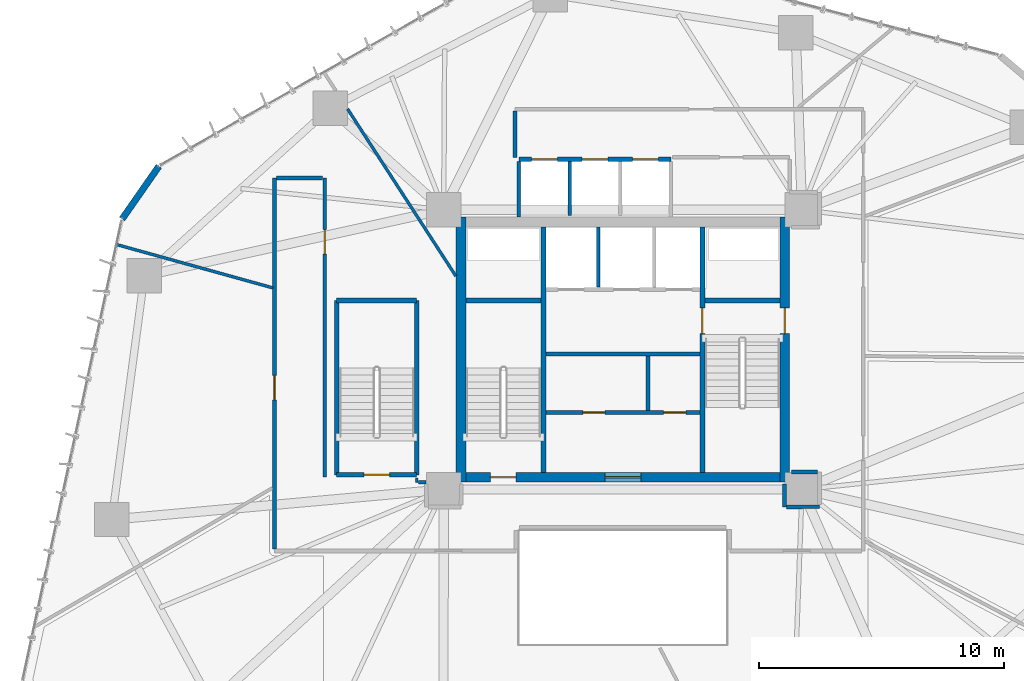
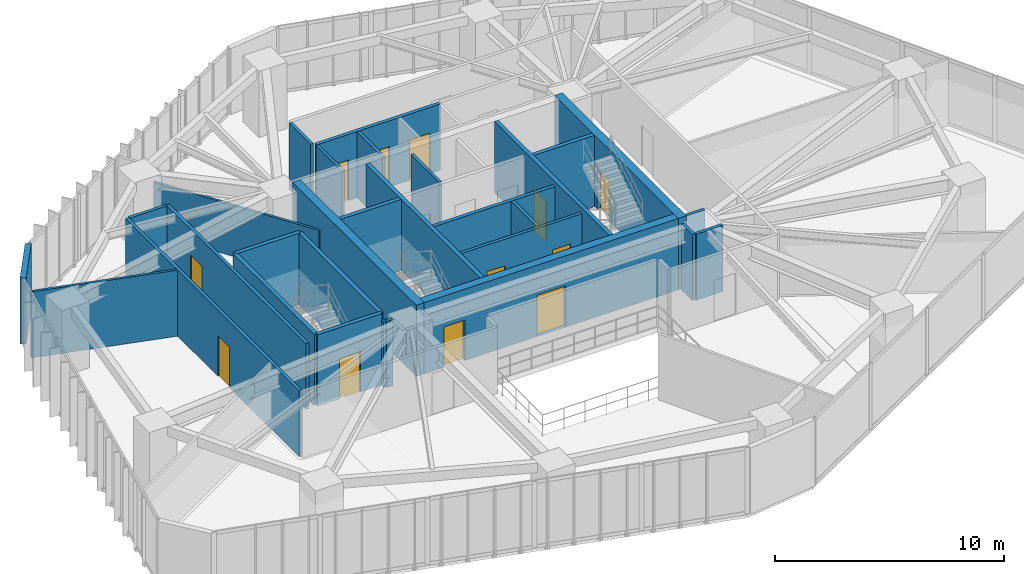
# One storey, part 18 of 23: 30 walls, 12 doors, 12 openings.
"""IFC4 building model written with IfcOpenShell, lengths in metres."""

import ifcopenshell
import ifcopenshell.guid

model = None  # the IFC model being written
_history = None  # IfcOwnerHistory: only IFC2X3 demands one
_inside = {}  # id of a spatial element -> (the spatial element, [elements in it])
_under = {}  # id of a project, library or spatial element -> (it, [spatial elements below it])
_declared = {}  # id of a project -> (the project, [libraries it declares])
_typed = {}  # id of a type object -> (the type object, [elements of that type])
_made_of = {}  # id of a material, layer set ... -> (it, [elements and type objects made of it])


def new_model(schema):
    """Start an empty IFC model of exactly this schema.

    Asked for "IFC4X3", IfcOpenShell would pick the latest addendum, in which some entities
    have other attributes; the version numbers below select the first issue.
    IFC2X3 requires an IfcOwnerHistory on every rooted entity: one is made here for all.
    """
    global model, _history
    if schema == "IFC4X3":
        model = ifcopenshell.file(schema_version=(4, 3, 0, 0))
    else:
        model = ifcopenshell.file(schema=schema)
    _inside.clear()
    _under.clear()
    _declared.clear()
    _typed.clear()
    _made_of.clear()
    _history = None
    if model.schema == "IFC2X3":
        org = make("IfcOrganization", Name="unknown")
        user = make(
            "IfcPersonAndOrganization",
            ThePerson=make("IfcPerson", FamilyName="unknown"),
            TheOrganization=org,
        )
        app = make(
            "IfcApplication",
            ApplicationDeveloper=org,
            Version="unknown",
            ApplicationFullName="unknown",
            ApplicationIdentifier="unknown",
        )
        _history = make(
            "IfcOwnerHistory",
            OwningUser=user,
            OwningApplication=app,
            ChangeAction="ADDED",
            CreationDate=0,
        )
    return model


def make(cls, **values):
    """One entity of the class cls with the attributes given. An attribute that is None is left unset."""
    return model.create_entity(
        cls, **{name: value for name, value in values.items() if value is not None}
    )


def rooted(cls, **values):
    """An entity with a GlobalId (a new one), such as an element, a storey or a relation."""
    return make(cls, GlobalId=ifcopenshell.guid.new(), OwnerHistory=_history, **values)


def si_unit(unit_type, name, prefix=None):
    """IfcSIUnit, for example si_unit("LENGTHUNIT", "METRE", prefix="MILLI")."""
    return make("IfcSIUnit", UnitType=unit_type, Prefix=prefix, Name=name)


def assignment(units):
    """IfcUnitAssignment: the units of a project."""
    return None if units is None else make("IfcUnitAssignment", Units=units)


def point(xyz):
    """IfcCartesianPoint."""
    return None if xyz is None else make("IfcCartesianPoint", Coordinates=xyz)


def direction(xyz):
    """IfcDirection."""
    return None if xyz is None else make("IfcDirection", DirectionRatios=xyz)


def frame(location, z_axis=None, x_axis=None):
    """IfcAxis2Placement3D, a coordinate frame: its origin and axes. An axis left out is left unset."""
    return make(
        "IfcAxis2Placement3D",
        Location=point(location),
        Axis=direction(z_axis),
        RefDirection=direction(x_axis),
    )


def frame_2d(location, x_axis=None):
    """IfcAxis2Placement2D, a coordinate frame in the plane: its origin and x axis."""
    return make(
        "IfcAxis2Placement2D", Location=point(location), RefDirection=direction(x_axis)
    )


def origin():
    """The frame at (0, 0, 0) with its axes left unset."""
    return frame((0.0, 0.0, 0.0))


def place(relative_to, where):
    """IfcLocalPlacement: puts the frame where relative to a parent placement (None: the world)."""
    return make(
        "IfcLocalPlacement", PlacementRelTo=relative_to, RelativePlacement=where
    )


def context(
    kind, dimensions, precision=None, world=None, true_north=None, identifier=None
):
    """IfcGeometricRepresentationContext, for example the 3D "Model" context."""
    return make(
        "IfcGeometricRepresentationContext",
        ContextIdentifier=identifier,
        ContextType=kind,
        CoordinateSpaceDimension=dimensions,
        Precision=precision,
        WorldCoordinateSystem=world,
        TrueNorth=true_north,
    )


def subcontext(parent, identifier, kind, view, scale=None):
    """IfcGeometricRepresentationSubContext, for example "Body" below "Model"."""
    return make(
        "IfcGeometricRepresentationSubContext",
        ContextIdentifier=identifier,
        ContextType=kind,
        ParentContext=parent,
        TargetScale=scale,
        TargetView=view,
    )


def project(units=None, contexts=None):
    """IfcProject with its units and contexts."""
    return rooted(
        "IfcProject",
        Name="project",
        RepresentationContexts=contexts,
        UnitsInContext=assignment(units),
    )


def spatial(cls, under=None, at=None, **own):
    """A site, building, storey or space (cls), placed at a placement, below another one or the project."""
    s = rooted(cls, ObjectPlacement=at, **own)
    if under is not None:
        _under.setdefault(under.id(), (under, []))[1].append(s)
    return s


def profile(cls, at=None, kind="AREA", **sizes):
    """A parametric profile (cls). Its sizes go by their IFC names, for example OverallWidth=200.0."""
    return make(cls, ProfileType=kind, Position=at, **sizes)


def rectangle(**sizes):
    """IfcRectangleProfileDef."""
    return profile("IfcRectangleProfileDef", **sizes)


def extrude(swept, where, along, depth):
    """IfcExtrudedAreaSolid: the profile swept, set in the frame where, extruded along a direction by depth."""
    return make(
        "IfcExtrudedAreaSolid",
        SweptArea=swept,
        Position=where,
        ExtrudedDirection=direction(along),
        Depth=depth,
    )


def shape(context_of_items, identifier, shape_type, items):
    """IfcShapeRepresentation: the items that make up one representation, for example the "Body"."""
    return make(
        "IfcShapeRepresentation",
        ContextOfItems=context_of_items,
        RepresentationIdentifier=identifier,
        RepresentationType=shape_type,
        Items=items,
    )


def source(mapping_origin, context_of_items, identifier, shape_type, items):
    """IfcRepresentationMap: a shape defined once, which mapped items show again and again."""
    return make(
        "IfcRepresentationMap",
        MappingOrigin=mapping_origin,
        MappedRepresentation=shape(context_of_items, identifier, shape_type, items),
    )


def transform(
    local_origin,
    x_axis=None,
    y_axis=None,
    z_axis=None,
    scale=None,
    scale2=None,
    scale3=None,
    uniform=True,
):
    """IfcCartesianTransformationOperator3D, or its non-uniform kind. x_axis, y_axis, z_axis: its Axis1, 2, 3."""
    if uniform:
        return make(
            "IfcCartesianTransformationOperator3D",
            Axis1=direction(x_axis),
            Axis2=direction(y_axis),
            LocalOrigin=point(local_origin),
            Scale=scale,
            Axis3=direction(z_axis),
        )
    return make(
        "IfcCartesianTransformationOperator3DnonUniform",
        Axis1=direction(x_axis),
        Axis2=direction(y_axis),
        LocalOrigin=point(local_origin),
        Scale=scale,
        Axis3=direction(z_axis),
        Scale2=scale2,
        Scale3=scale3,
    )


def mapped(mapping_source, mapping_target):
    """IfcMappedItem: shows the shape of a source again, moved by a transform."""
    return make(
        "IfcMappedItem", MappingSource=mapping_source, MappingTarget=mapping_target
    )


def material(Name=None, Category=None):
    """IfcMaterial."""
    return make("IfcMaterial", Name=Name, Category=Category)


def layer(
    of_material, thickness, ventilated=None, Name=None, Category=None, Priority=None
):
    """IfcMaterialLayer: one layer of a wall or slab, of a material (None: an air gap)."""
    return make(
        "IfcMaterialLayer",
        Material=of_material,
        LayerThickness=thickness,
        IsVentilated=ventilated,
        Name=Name,
        Category=Category,
        Priority=Priority,
    )


def layer_set(layers, Name=None):
    """IfcMaterialLayerSet."""
    return make("IfcMaterialLayerSet", MaterialLayers=layers, LayerSetName=Name)


def made_of(thing, what):
    """Note that an element or type object is made of a material, layer set ...; save() writes the relation."""
    if what is not None:
        _made_of.setdefault(what.id(), (what, []))[1].append(thing)
    return thing


def type_object(cls, material=None, **own):
    """A type object (cls), such as IfcWallType, which elements share."""
    return made_of(rooted(cls, **own), material)


def type_shapes(of_type, sources):
    """Give a type object the sources (RepresentationMaps) that its elements show as mapped items."""
    of_type.RepresentationMaps = sources


def element(
    cls,
    number,
    at=None,
    inside=None,
    cuts=None,
    type_object=None,
    material=None,
    context=None,
    identifier="Body",
    shape_type=None,
    held_by="IfcProductDefinitionShape",
    body=None,
    shapes=None,
    **own,
):
    """One element of the class cls, such as IfcWall. Its Tag is "e" and its number.

    at: its placement. inside: the storey or other place that contains it. cuts: it is an
    opening in that element (IfcRelVoidsElement). A single representation is given by context,
    identifier, shape_type and body (its items); several are given by shapes. held_by: the class
    of the entity that holds the representations. save() writes the other relations.
    """
    e = rooted(cls, Tag="e%d" % number, ObjectPlacement=at, **own)
    if body is not None:
        shapes = [shape(context, identifier, shape_type, body)]
    if shapes is not None:
        e.Representation = make(held_by, Representations=shapes)
    if inside is not None:
        _inside.setdefault(inside.id(), (inside, []))[1].append(e)
    if cuts is not None:
        rooted(
            "IfcRelVoidsElement", RelatingBuildingElement=cuts, RelatedOpeningElement=e
        )
    if type_object is not None:
        _typed.setdefault(type_object.id(), (type_object, []))[1].append(e)
    return made_of(e, material)


def fill(opening, filler):
    """IfcRelFillsElement: the door or window that sits in an opening."""
    return rooted(
        "IfcRelFillsElement",
        RelatingOpeningElement=opening,
        RelatedBuildingElement=filler,
    )


def aggregate(whole, parts):
    """IfcRelAggregates: a whole, such as a stair, and the parts it consists of."""
    return rooted("IfcRelAggregates", RelatingObject=whole, RelatedObjects=parts)


def save(model, path):
    """Write the relations noted so far, then the file.

    IfcRelAggregates (storeys below a building ...), IfcRelContainedInSpatialStructure (elements
    in a storey), IfcRelDefinesByType, IfcRelAssociatesMaterial and IfcRelDeclares: one each for
    every whole, place, type object, material and project.
    """
    for whole, parts in _under.values():
        aggregate(whole, parts)
    for where, things in _inside.values():
        rooted(
            "IfcRelContainedInSpatialStructure",
            RelatedElements=things,
            RelatingStructure=where,
        )
    for kind, things in _typed.values():
        rooted("IfcRelDefinesByType", RelatedObjects=things, RelatingType=kind)
    for what, things in _made_of.values():
        rooted("IfcRelAssociatesMaterial", RelatedObjects=things, RelatingMaterial=what)
    for by, libraries in _declared.values():
        rooted("IfcRelDeclares", RelatingContext=by, RelatedDefinitions=libraries)
    model.write(path)


model = new_model("IFC4")

# Units and contexts
model_context = context("Model", 3, precision=1e-05, world=origin(), true_north=direction((0.0, 1.0)))
body_context = subcontext(model_context, "Body", "Model", "MODEL_VIEW")
ifc_project = project(units=[si_unit("LENGTHUNIT", "METRE"), si_unit("AREAUNIT", "SQUARE_METRE"), si_unit("VOLUMEUNIT", "CUBIC_METRE"), si_unit("PLANEANGLEUNIT", "RADIAN"), si_unit("MASSUNIT", "GRAM", prefix="KILO")], contexts=[model_context])

# Site, building, storey
site_placement = place(None, origin())
site = spatial("IfcSite", under=ifc_project, at=site_placement, CompositionType="ELEMENT")
building_placement = place(site_placement, origin())
building = spatial("IfcBuilding", under=site, at=building_placement, Name="Talar Marvaseh", CompositionType="ELEMENT")
storey_placement = place(building_placement, frame((0.0, 0.0, 46.800048828125)))
storey = spatial("IfcBuildingStorey", under=building, at=storey_placement, Name="L11", CompositionType="ELEMENT", Elevation=46.800048828125)

# Wall
ifc_material_1 = material(Name="Precast concrete C45/55", Category="concrete")
ifc_layer_1 = layer(ifc_material_1, 0.27001953125)
ifc_layer_set_1 = layer_set([ifc_layer_1], Name="Precast concrete C45/55")
wall_type_1 = type_object("IfcWallType", Name="Chamfered Hexagonal Corner Pier Wall Z1 270", PredefinedType="SOLIDWALL", material=ifc_layer_set_1)
wall_1_placement = place(storey_placement, frame((5.593017578125, 36.52587890625, 0.0), z_axis=(0.0, 0.0, 1.0), x_axis=(0.57176229305, 0.820419331955, 0.0)))
element("IfcWall", 1, at=wall_1_placement, inside=storey, type_object=wall_type_1, Name="L11 Chamfered Corner Limestone Pier 2", PredefinedType="SOLIDWALL", context=body_context, shape_type="SweptSolid", body=[
    extrude(rectangle(XDim=2.62353515625, YDim=0.27001953125, at=frame_2d((1.311767578125, 0.0))), origin(), (0.0, 0.0, 1.0), 3.52001953125),
])

# Wall, openings, doors
ifc_material_2 = material(Name="Gypsum Board Partition Assembly")
ifc_layer_2 = layer(ifc_material_2, 0.155029296875)
ifc_layer_set_2 = layer_set([ifc_layer_2], Name="Gypsum Board Partition Assembly")
wall_type_2 = type_object("IfcWallType", Name="Corridor Fire-Rated Acoustic Partition 155", PredefinedType="PARTITIONING", material=ifc_layer_set_2)
wall_2_placement = place(storey_placement, frame((22.865966796875, 28.639892578125, 0.0), z_axis=(0.0, 0.0, 1.0), x_axis=(1.0, 0.0, 0.0)))
wall_2 = element("IfcWall", 2, at=wall_2_placement, inside=storey, type_object=wall_type_2, Name="L11 Core BOH Partition", PredefinedType="PARTITIONING", context=body_context, shape_type="SweptSolid", body=[
    extrude(rectangle(XDim=6.26806640625, YDim=0.155029296875, at=frame_2d((3.134033203125, 0.0))), origin(), (0.0, 0.0, 1.0), 3.52001953125),
])
opening_1_placement = place(wall_2_placement, frame((1.5, 0.0, 0.0)))
opening_1 = element("IfcOpeningElement", 3, at=opening_1_placement, cuts=wall_2, Name="Opening DR-BOH090", PredefinedType="OPENING", context=body_context, shape_type="SweptSolid", body=[
    extrude(rectangle(XDim=0.89990234375, YDim=2.10009765625, at=frame_2d((0.449951171875, 1.050048828125))), frame((0.0, 0.08740234375, 0.0), z_axis=(0.0, -1.0, 0.0), x_axis=(1.0, 0.0, 0.0)), (0.0, 0.0, 1.0), 0.175048828125),
])
opening_2_placement = place(wall_2_placement, frame((4.800048828125, 0.0, 0.0)))
opening_2 = element("IfcOpeningElement", 4, at=opening_2_placement, cuts=wall_2, Name="Opening DR-BOH090", PredefinedType="OPENING", context=body_context, shape_type="SweptSolid", body=[
    extrude(rectangle(XDim=0.89990234375, YDim=2.10009765625, at=frame_2d((0.449951171875, 1.050048828125))), frame((0.0, 0.08740234375, 0.0), z_axis=(0.0, -1.0, 0.0), x_axis=(1.0, 0.0, 0.0)), (0.0, 0.0, 1.0), 0.175048828125),
])
ifc_material_3 = material(Name="Fire-Rated Steel Door Leaf", Category="steel")
door_type_1 = type_object("IfcDoorType", Name="Core Back-of-House Service Door 900x2100", OperationType="NOTDEFINED", PredefinedType="DOOR", material=ifc_material_3)
shared_shape_1 = source(origin(), body_context, "Body", "SweptSolid", [
    extrude(rectangle(XDim=0.89990234375, YDim=2.10009765625, at=frame_2d((0.449951171875, 1.050048828125))), frame((0.0, 0.02490234375, 0.0), z_axis=(0.0, -1.0, 0.0), x_axis=(1.0, 0.0, 0.0)), (0.0, 0.0, 1.0), 0.050048828125),
])
type_shapes(door_type_1, [shared_shape_1])
door_1_placement = place(opening_1_placement, origin())
door_1 = element("IfcDoor", 5, at=door_1_placement, inside=storey, type_object=door_type_1, Name="L11 Plant Core Comms Switch Room Door", OperationType="SINGLE_SWING_LEFT", OverallHeight=2.10009765625, OverallWidth=0.89990234375, PredefinedType="DOOR", context=body_context, shape_type="MappedRepresentation", body=[
    mapped(shared_shape_1, transform((0.0, 0.0, 0.0), x_axis=(1.0, 0.0, 0.0), y_axis=(0.0, 1.0, 0.0), z_axis=(0.0, 0.0, 1.0), scale=1.0)),
])
fill(opening_1, door_1)
door_2_placement = place(opening_2_placement, origin())
door_2 = element("IfcDoor", 6, at=door_2_placement, inside=storey, type_object=door_type_1, Name="L11 Cleaner Cupboard Door", OperationType="SINGLE_SWING_RIGHT", OverallHeight=2.10009765625, OverallWidth=0.89990234375, PredefinedType="DOOR", context=body_context, shape_type="MappedRepresentation", body=[
    mapped(shared_shape_1, transform((0.0, 0.0, 0.0), x_axis=(1.0, 0.0, 0.0), y_axis=(0.0, 1.0, 0.0), z_axis=(0.0, 0.0, 1.0), scale=1.0)),
])
fill(opening_2, door_2)

# Wall
wall_3_placement = place(storey_placement, frame((27.02001953125, 28.719970703125, 0.0), z_axis=(0.0, 0.0, 1.0), x_axis=(0.0, 1.0, 0.0)))
element("IfcWall", 7, at=wall_3_placement, inside=storey, type_object=wall_type_2, Name="L11 Core BOH Partition", PredefinedType="PARTITIONING", context=body_context, shape_type="SweptSolid", body=[
    extrude(rectangle(XDim=2.219970703125, YDim=0.155029296875, at=frame_2d((1.10986328125, 0.0))), origin(), (0.0, 0.0, 1.0), 3.52001953125),
])

# Wall, opening, door
wall_4_placement = place(storey_placement, frame((11.800048828125, 23.08349609375, 0.0), z_axis=(0.0, 0.0, 1.0), x_axis=(0.0, 1.0, 0.0)))
wall_4 = element("IfcWall", 8, at=wall_4_placement, inside=storey, type_object=wall_type_2, Name="L11 Interior Partition Wall", PredefinedType="PARTITIONING", context=body_context, shape_type="SweptSolid", body=[
    extrude(rectangle(XDim=15.116455078125, YDim=0.155029296875, at=frame_2d((7.55810546875, 0.0))), origin(), (0.0, 0.0, 1.0), 3.52001953125),
])
opening_3_placement = place(wall_4_placement, frame((6.06494140625, 0.0, 0.0)))
opening_3 = element("IfcOpeningElement", 9, at=opening_3_placement, cuts=wall_4, Name="Opening DR-RM100", PredefinedType="OPENING", context=body_context, shape_type="SweptSolid", body=[
    extrude(rectangle(XDim=1.0, YDim=2.14990234375, at=frame_2d((0.5, 1.074951171875))), frame((0.0, 0.08740234375, 0.0), z_axis=(0.0, -1.0, 0.0), x_axis=(1.0, 0.0, 0.0)), (0.0, 0.0, 1.0), 0.175048828125),
])
ifc_material_4 = material(Name="Acoustic Engineered Oak Timber", Category="wood")
door_type_2 = type_object("IfcDoorType", Name="Corridor Fire-Rated Gallery Door 1000x2150", OperationType="NOTDEFINED", PredefinedType="DOOR", material=ifc_material_4)
shared_shape_2 = source(origin(), body_context, "Body", "SweptSolid", [
    extrude(rectangle(XDim=1.0, YDim=2.14990234375, at=frame_2d((0.5, 1.074951171875))), frame((0.0, 0.02490234375, 0.0), z_axis=(0.0, -1.0, 0.0), x_axis=(1.0, 0.0, 0.0)), (0.0, 0.0, 1.0), 0.050048828125),
])
type_shapes(door_type_2, [shared_shape_2])
door_3_placement = place(opening_3_placement, origin())
door_3 = element("IfcDoor", 10, at=door_3_placement, inside=storey, type_object=door_type_2, Name="L11 Conservation Laboratory Door", OperationType="SINGLE_SWING_RIGHT", OverallHeight=2.14990234375, OverallWidth=1.0, PredefinedType="DOOR", context=body_context, shape_type="MappedRepresentation", body=[
    mapped(shared_shape_2, transform((0.0, 0.0, 0.0), x_axis=(1.0, 0.0, 0.0), y_axis=(0.0, 1.0, 0.0), z_axis=(0.0, 0.0, 1.0), scale=1.0)),
])
fill(opening_3, door_3)

wall_5_placement = place(storey_placement, frame((13.85009765625, 38.199951171875, 0.0), z_axis=(0.0, 0.0, 1.0), x_axis=(0.0, -1.0, 0.0)))
wall_5 = element("IfcWall", 11, at=wall_5_placement, inside=storey, type_object=wall_type_2, Name="L11 Interior Partition Wall", PredefinedType="PARTITIONING", context=body_context, shape_type="SweptSolid", body=[
    extrude(rectangle(XDim=12.179931640625, YDim=0.155029296875, at=frame_2d((6.08984375, 0.0))), origin(), (0.0, 0.0, 1.0), 3.52001953125),
])
opening_4_placement = place(wall_5_placement, frame((2.10595703125, 0.0, 0.0)))
opening_4 = element("IfcOpeningElement", 12, at=opening_4_placement, cuts=wall_5, Name="Opening DR-RM100", PredefinedType="OPENING", context=body_context, shape_type="SweptSolid", body=[
    extrude(rectangle(XDim=1.0, YDim=2.14990234375, at=frame_2d((0.5, 1.074951171875))), frame((0.0, 0.08740234375, 0.0), z_axis=(0.0, -1.0, 0.0), x_axis=(1.0, 0.0, 0.0)), (0.0, 0.0, 1.0), 0.175048828125),
])
door_4_placement = place(opening_4_placement, origin())
door_4 = element("IfcDoor", 13, at=door_4_placement, inside=storey, type_object=door_type_2, Name="L11 Scholars' Registration Reception Door", OperationType="SINGLE_SWING_LEFT", OverallHeight=2.14990234375, OverallWidth=1.0, PredefinedType="DOOR", context=body_context, shape_type="MappedRepresentation", body=[
    mapped(shared_shape_2, transform((0.0, 0.0, 0.0), x_axis=(1.0, 0.0, 0.0), y_axis=(0.0, 1.0, 0.0), z_axis=(0.0, 0.0, 1.0), scale=1.0)),
])
fill(opening_4, door_4)

# Walls
wall_6_placement = place(storey_placement, frame((11.883544921875, 38.199951171875, 0.0), z_axis=(0.0, 0.0, 1.0), x_axis=(1.0, 0.0, 0.0)))
element("IfcWall", 14, at=wall_6_placement, inside=storey, type_object=wall_type_2, Name="L11 Interior Partition Wall", PredefinedType="PARTITIONING", context=body_context, shape_type="SweptSolid", body=[
    extrude(rectangle(XDim=1.883056640625, YDim=0.155029296875, at=frame_2d((0.94140625, 0.0))), origin(), (0.0, 0.0, 1.0), 3.52001953125),
])
wall_7_placement = place(storey_placement, frame((17.666015625, 25.800048828125, 0.0), z_axis=(0.0, 0.0, 1.0), x_axis=(1.0, 0.0, 0.0)))
element("IfcWall", 15, at=wall_7_placement, inside=storey, type_object=wall_type_2, Name="L11 Interior Partition Wall", PredefinedType="PARTITIONING", context=body_context, shape_type="SweptSolid", body=[
    extrude(rectangle(XDim=0.319091796875, YDim=0.155029296875, at=frame_2d((0.15966796875, 0.0))), origin(), (0.0, 0.0, 1.0), 3.52001953125),
])
wall_8_placement = place(storey_placement, frame((32.5849609375, 25.72998046875, 0.0), z_axis=(0.0, 0.0, 1.0), x_axis=(0.007253695172, -0.999973691607, 0.0)))
element("IfcWall", 16, at=wall_8_placement, inside=storey, type_object=wall_type_2, Name="L11 Interior Partition Wall", PredefinedType="PARTITIONING", context=body_context, shape_type="SweptSolid", body=[
    extrude(rectangle(XDim=0.9423828125, YDim=0.155029296875, at=frame_2d((0.47119140625, 0.0))), origin(), (0.0, 0.0, 1.0), 3.52001953125),
])
wall_9_placement = place(storey_placement, frame((32.67529296875, 24.788330078125, 0.0), z_axis=(0.0, 0.0, 1.0), x_axis=(0.999961738884, 0.008747614993, 0.0)))
element("IfcWall", 17, at=wall_9_placement, inside=storey, type_object=wall_type_2, Name="L11 Interior Partition Wall", PredefinedType="PARTITIONING", context=body_context, shape_type="SweptSolid", body=[
    extrude(rectangle(XDim=1.339599609375, YDim=0.155029296875, at=frame_2d((0.669921875, 0.0))), origin(), (0.0, 0.0, 1.0), 3.52001953125),
])
wall_10_placement = place(storey_placement, frame((33.927978515625, 26.2099609375, 0.0), z_axis=(0.0, 0.0, 1.0), x_axis=(-0.999988255797, 0.004846469737, 0.0)))
element("IfcWall", 18, at=wall_10_placement, inside=storey, type_object=wall_type_2, Name="L11 Interior Partition Wall", PredefinedType="PARTITIONING", context=body_context, shape_type="SweptSolid", body=[
    extrude(rectangle(XDim=1.057861328125, YDim=0.155029296875, at=frame_2d((0.52880859375, 0.0))), origin(), (0.0, 0.0, 1.0), 3.52001953125),
])
wall_11_placement = place(storey_placement, frame((21.60009765625, 39.0400390625, 0.0), z_axis=(0.0, 0.0, 1.0), x_axis=(0.0, 1.0, 0.0)))
element("IfcWall", 19, at=wall_11_placement, inside=storey, type_object=wall_type_2, Name="L11 Interior Partition Wall", PredefinedType="PARTITIONING", context=body_context, shape_type="SweptSolid", body=[
    extrude(rectangle(XDim=1.87646484375, YDim=0.155029296875, at=frame_2d((0.938232421875, 0.0))), origin(), (0.0, 0.0, 1.0), 3.52001953125),
])
ifc_layer_3 = layer(ifc_material_2, 0.1201171875)
ifc_layer_set_3 = layer_set([ifc_layer_3], Name="Gypsum Board Partition Assembly")
wall_type_3 = type_object("IfcWallType", Name="Demountable Studio Room Partition 120", PredefinedType="PARTITIONING", material=ifc_layer_set_3)
wall_12_placement = place(storey_placement, frame((17.60009765625, 25.96240234375, 0.0), z_axis=(0.0, 0.0, 1.0), x_axis=(0.0, -1.0, 0.0)))
element("IfcWall", 20, at=wall_12_placement, inside=storey, type_object=wall_type_3, Name="L11 Interior Partition Wall", PredefinedType="PARTITIONING", context=body_context, shape_type="SweptSolid", body=[
    extrude(rectangle(XDim=0.1748046875, YDim=0.1201171875, at=frame_2d((0.08740234375, 0.0))), origin(), (0.0, 0.0, 1.0), 3.52001953125),
])
wall_13_placement = place(storey_placement, frame((19.194091796875, 34.19921875, 0.0), z_axis=(0.0, 0.0, 1.0), x_axis=(-0.543866033872, 0.839172054587, 0.0)))
element("IfcWall", 21, at=wall_13_placement, inside=storey, type_object=wall_type_3, Name="L11 Interior Partition Wall", PredefinedType="PARTITIONING", context=body_context, shape_type="SweptSolid", body=[
    extrude(rectangle(XDim=8.115966796875, YDim=0.1201171875, at=frame_2d((4.05810546875, 0.0))), origin(), (0.0, 0.0, 1.0), 2.721923828125),
])
wall_14_placement = place(storey_placement, frame((11.7373046875, 33.71728515625, 0.0), z_axis=(0.0, 0.0, 1.0), x_axis=(-0.963643614323, 0.267190914095, 0.0)))
element("IfcWall", 22, at=wall_14_placement, inside=storey, type_object=wall_type_3, Name="L11 Interior Partition Wall", PredefinedType="PARTITIONING", context=body_context, shape_type="SweptSolid", body=[
    extrude(rectangle(XDim=6.5888671875, YDim=0.1201171875, at=frame_2d((3.29443359375, 0.0))), origin(), (0.0, 0.0, 1.0), 3.52001953125),
])
ifc_layer_4 = layer(ifc_material_1, 0.14501953125)
ifc_layer_set_4 = layer_set([ifc_layer_4], Name="Precast concrete C45/55")
wall_type_4 = type_object("IfcWallType", Name="Fire-Rated Lift Divider Wall 145", PredefinedType="SOLIDWALL", material=ifc_layer_set_4)
wall_15_placement = place(storey_placement, frame((25.0, 33.743408203125, 0.0), z_axis=(0.0, 0.0, 1.0), x_axis=(0.0, 1.0, 0.0)))
element("IfcWall", 23, at=wall_15_placement, inside=storey, type_object=wall_type_4, Name="L11 FFL-1/FFL-2 Divider", PredefinedType="SOLIDWALL", context=body_context, shape_type="SweptSolid", body=[
    extrude(rectangle(XDim=2.45654296875, YDim=0.14501953125, at=frame_2d((1.228271484375, 0.0))), origin(), (0.0, 0.0, 1.0), 3.52001953125),
])
wall_16_placement = place(storey_placement, frame((21.760009765625, 36.60009765625, 0.0), z_axis=(0.0, 0.0, 1.0), x_axis=(0.0, 1.0, 0.0)))
element("IfcWall", 24, at=wall_16_placement, inside=storey, type_object=wall_type_4, Name="L11 Low-Rise Bank West Wall", PredefinedType="SOLIDWALL", context=body_context, shape_type="SweptSolid", body=[
    extrude(rectangle(XDim=2.266357421875, YDim=0.14501953125, at=frame_2d((1.13330078125, 0.0))), origin(), (0.0, 0.0, 1.0), 3.52001953125),
])
wall_17_placement = place(storey_placement, frame((23.830078125, 36.659912109375, 0.0), z_axis=(0.0, 0.0, 1.0), x_axis=(0.0, 1.0, 0.0)))
element("IfcWall", 25, at=wall_17_placement, inside=storey, type_object=wall_type_4, Name="L11 PL-L1/PL-L2 Divider", PredefinedType="SOLIDWALL", context=body_context, shape_type="SweptSolid", body=[
    extrude(rectangle(XDim=2.20654296875, YDim=0.14501953125, at=frame_2d((1.103271484375, 0.0))), origin(), (0.0, 0.0, 1.0), 3.52001953125),
])
ifc_layer_5 = layer(ifc_material_1, 0.175048828125)
ifc_layer_set_5 = layer_set([ifc_layer_5], Name="Precast concrete C45/55")
wall_type_5 = type_object("IfcWallType", Name="Fire-Rated Lift Hoistway Enclosure Wall 175", PredefinedType="SOLIDWALL", material=ifc_layer_set_5)
wall_18_placement = place(storey_placement, frame((22.860107421875, 31.02001953125, 0.0), z_axis=(0.0, 0.0, 1.0), x_axis=(1.0, 0.0, 0.0)))
element("IfcWall", 26, at=wall_18_placement, inside=storey, type_object=wall_type_5, Name="L11 Firefighting Lobby South Smoke Wall", PredefinedType="SOLIDWALL", context=body_context, shape_type="SweptSolid", body=[
    extrude(rectangle(XDim=6.27978515625, YDim=0.175048828125, at=frame_2d((3.139892578125, 0.0))), origin(), (0.0, 0.0, 1.0), 3.52001953125),
])

# Wall, openings, doors
wall_19_placement = place(storey_placement, frame((21.760009765625, 38.9599609375, 0.0), z_axis=(0.0, 0.0, 1.0), x_axis=(1.0, 0.0, 0.0)))
wall_19 = element("IfcWall", 27, at=wall_19_placement, inside=storey, type_object=wall_type_5, Name="L11 Low-Rise Lift Bank Front Wall", PredefinedType="SOLIDWALL", context=body_context, shape_type="SweptSolid", body=[
    extrude(rectangle(XDim=6.199951171875, YDim=0.175048828125, at=frame_2d((3.10009765625, 0.0))), origin(), (0.0, 0.0, 1.0), 3.52001953125),
])
opening_5_placement = place(wall_19_placement, frame((0.52001953125, 0.0, 0.0)))
opening_5 = element("IfcOpeningElement", 28, at=opening_5_placement, cuts=wall_19, Name="Opening LD-PLL1", PredefinedType="OPENING", context=body_context, shape_type="SweptSolid", body=[
    extrude(rectangle(XDim=1.050048828125, YDim=2.14990234375, at=frame_2d((0.52490234375, 1.074951171875))), frame((0.0, 0.09765625, 0.0), z_axis=(0.0, -1.0, 0.0), x_axis=(1.0, 0.0, 0.0)), (0.0, 0.0, 1.0), 0.195068359375),
])
opening_6_placement = place(wall_19_placement, frame((2.580078125, 0.0, 0.0)))
opening_6 = element("IfcOpeningElement", 29, at=opening_6_placement, cuts=wall_19, Name="Opening LD-PLL2", PredefinedType="OPENING", context=body_context, shape_type="SweptSolid", body=[
    extrude(rectangle(XDim=1.050048828125, YDim=2.14990234375, at=frame_2d((0.52490234375, 1.074951171875))), frame((0.0, 0.09765625, 0.0), z_axis=(0.0, -1.0, 0.0), x_axis=(1.0, 0.0, 0.0)), (0.0, 0.0, 1.0), 0.195068359375),
])
opening_7_placement = place(wall_19_placement, frame((4.639892578125, 0.0, 0.0)))
opening_7 = element("IfcOpeningElement", 30, at=opening_7_placement, cuts=wall_19, Name="Opening LD-PLL3", PredefinedType="OPENING", context=body_context, shape_type="SweptSolid", body=[
    extrude(rectangle(XDim=1.050048828125, YDim=2.14990234375, at=frame_2d((0.52490234375, 1.074951171875))), frame((0.0, 0.09765625, 0.0), z_axis=(0.0, -1.0, 0.0), x_axis=(1.0, 0.0, 0.0)), (0.0, 0.0, 1.0), 0.195068359375),
])
ifc_material_5 = material(Name="Stainless Steel Grade 316", Category="steel")
door_type_3 = type_object("IfcDoorType", Name="Automatic Sliding Lift Landing Door 1050x2150", OperationType="NOTDEFINED", PredefinedType="DOOR", material=ifc_material_5)
shared_shape_3 = source(origin(), body_context, "Body", "SweptSolid", [
    extrude(rectangle(XDim=1.050048828125, YDim=2.14990234375, at=frame_2d((0.52490234375, 1.074951171875))), frame((0.0, 0.02490234375, 0.0), z_axis=(0.0, -1.0, 0.0), x_axis=(1.0, 0.0, 0.0)), (0.0, 0.0, 1.0), 0.050048828125),
])
type_shapes(door_type_3, [shared_shape_3])
door_5_placement = place(opening_5_placement, origin())
door_5 = element("IfcDoor", 31, at=door_5_placement, inside=storey, type_object=door_type_3, Name="L11 Lift PL-L1 Sliding Landing Door", OperationType="SLIDING_TO_LEFT", OverallHeight=2.14990234375, OverallWidth=1.050048828125, PredefinedType="DOOR", context=body_context, shape_type="MappedRepresentation", body=[
    mapped(shared_shape_3, transform((0.0, 0.0, 0.0), x_axis=(1.0, 0.0, 0.0), y_axis=(0.0, 1.0, 0.0), z_axis=(0.0, 0.0, 1.0), scale=1.0)),
])
fill(opening_5, door_5)
door_6_placement = place(opening_6_placement, origin())
door_6 = element("IfcDoor", 32, at=door_6_placement, inside=storey, type_object=door_type_3, Name="L11 Lift PL-L2 Sliding Landing Door", OperationType="SLIDING_TO_LEFT", OverallHeight=2.14990234375, OverallWidth=1.050048828125, PredefinedType="DOOR", context=body_context, shape_type="MappedRepresentation", body=[
    mapped(shared_shape_3, transform((0.0, 0.0, 0.0), x_axis=(1.0, 0.0, 0.0), y_axis=(0.0, 1.0, 0.0), z_axis=(0.0, 0.0, 1.0), scale=1.0)),
])
fill(opening_6, door_6)
door_7_placement = place(opening_7_placement, origin())
door_7 = element("IfcDoor", 33, at=door_7_placement, inside=storey, type_object=door_type_3, Name="L11 Lift PL-L3 Sliding Landing Door", OperationType="SLIDING_TO_LEFT", OverallHeight=2.14990234375, OverallWidth=1.050048828125, PredefinedType="DOOR", context=body_context, shape_type="MappedRepresentation", body=[
    mapped(shared_shape_3, transform((0.0, 0.0, 0.0), x_axis=(1.0, 0.0, 0.0), y_axis=(0.0, 1.0, 0.0), z_axis=(0.0, 0.0, 1.0), scale=1.0)),
])
fill(opening_7, door_7)

# Wall
ifc_material_6 = material(Name="Concrete C70/85", Category="concrete")
ifc_layer_6 = layer(ifc_material_6, 0.39990234375)
ifc_layer_set_6 = layer_set([ifc_layer_6], Name="Concrete C70/85")
wall_type_6 = type_object("IfcWallType", Name="Lower Core Reinforced Concrete Shear Wall 400", PredefinedType="SHEAR", material=ifc_layer_set_6)
wall_20_placement = place(storey_placement, frame((19.39990234375, 25.800048828125, 0.0), z_axis=(0.0, 0.0, 1.0), x_axis=(0.0, 1.0, 0.0)))
element("IfcWall", 34, at=wall_20_placement, inside=storey, type_object=wall_type_6, Name="L11 West Core Shear Wall", PredefinedType="SHEAR", context=body_context, shape_type="SweptSolid", body=[
    extrude(rectangle(XDim=10.800048828125, YDim=0.39990234375, at=frame_2d((5.39990234375, 0.0))), origin(), (0.0, 0.0, 1.0), 3.800048828125),
])

# Wall, opening, door
wall_21_placement = place(storey_placement, frame((32.60009765625, 36.60009765625, 0.0), z_axis=(0.0, 0.0, 1.0), x_axis=(0.0, -1.0, 0.0)))
wall_21 = element("IfcWall", 35, at=wall_21_placement, inside=storey, type_object=wall_type_6, Name="L11 East Core Shear Wall", PredefinedType="SHEAR", context=body_context, shape_type="SweptSolid", body=[
    extrude(rectangle(XDim=10.800048828125, YDim=0.39990234375, at=frame_2d((5.39990234375, 0.0))), origin(), (0.0, 0.0, 1.0), 3.800048828125),
])
opening_8_placement = place(wall_21_placement, frame((3.699951171875, 0.0, 0.0)))
opening_8 = element("IfcOpeningElement", 36, at=opening_8_placement, cuts=wall_21, Name="Opening DR-ST105", PredefinedType="OPENING", context=body_context, shape_type="SweptSolid", body=[
    extrude(rectangle(XDim=1.050048828125, YDim=2.14990234375, at=frame_2d((0.52490234375, 1.074951171875))), frame((0.0, 0.2099609375, 0.0), z_axis=(0.0, -1.0, 0.0), x_axis=(1.0, 0.0, 0.0)), (0.0, 0.0, 1.0), 0.419921875),
])
door_type_4 = type_object("IfcDoorType", Name="Protected Exit Stair Fire Door 1050x2150", OperationType="NOTDEFINED", PredefinedType="DOOR", material=ifc_material_3)
shared_shape_4 = source(origin(), body_context, "Body", "SweptSolid", [
    extrude(rectangle(XDim=1.050048828125, YDim=2.14990234375, at=frame_2d((0.52490234375, 1.074951171875))), frame((0.0, 0.02490234375, 0.0), z_axis=(0.0, -1.0, 0.0), x_axis=(1.0, 0.0, 0.0)), (0.0, 0.0, 1.0), 0.050048828125),
])
type_shapes(door_type_4, [shared_shape_4])
door_8_placement = place(opening_8_placement, origin())
door_8 = element("IfcDoor", 37, at=door_8_placement, inside=storey, type_object=door_type_4, Name="L11 Stair ST-2 Corridor Exit Door", OperationType="SINGLE_SWING_LEFT", OverallHeight=2.14990234375, OverallWidth=1.050048828125, PredefinedType="DOOR", context=body_context, shape_type="MappedRepresentation", body=[
    mapped(shared_shape_4, transform((0.0, 0.0, 0.0), x_axis=(1.0, 0.0, 0.0), y_axis=(0.0, 1.0, 0.0), z_axis=(0.0, 0.0, 1.0), scale=1.0)),
])
fill(opening_8, door_8)

# Wall, openings, doors
wall_22_placement = place(storey_placement, frame((32.39990234375, 26.0, 0.0), z_axis=(0.0, 0.0, 1.0), x_axis=(-1.0, 0.0, 0.0)))
wall_22 = element("IfcWall", 38, at=wall_22_placement, inside=storey, type_object=wall_type_6, Name="L11 South Core Shear Wall", PredefinedType="SHEAR", context=body_context, shape_type="SweptSolid", body=[
    extrude(rectangle(XDim=12.7998046875, YDim=0.39990234375, at=frame_2d((6.39990234375, 0.0))), origin(), (0.0, 0.0, 1.0), 3.800048828125),
])
opening_9_placement = place(wall_22_placement, frame((10.75, 0.0, 0.0)))
opening_9 = element("IfcOpeningElement", 39, at=opening_9_placement, cuts=wall_22, Name="Opening DR-ST105", PredefinedType="OPENING", context=body_context, shape_type="SweptSolid", body=[
    extrude(rectangle(XDim=1.050048828125, YDim=2.14990234375, at=frame_2d((0.52490234375, 1.074951171875))), frame((0.0, 0.2099609375, 0.0), z_axis=(0.0, -1.0, 0.0), x_axis=(1.0, 0.0, 0.0)), (0.0, 0.0, 1.0), 0.419921875),
])
opening_10_placement = place(wall_22_placement, frame((5.669921875, 0.0, 0.0)))
opening_10 = element("IfcOpeningElement", 40, at=opening_10_placement, cuts=wall_22, Name="Opening DR-LBY145", PredefinedType="OPENING", context=body_context, shape_type="SweptSolid", body=[
    extrude(rectangle(XDim=1.449951171875, YDim=2.199951171875, at=frame_2d((0.72509765625, 1.10009765625))), frame((0.0, 0.2099609375, 0.0), z_axis=(0.0, -1.0, 0.0), x_axis=(1.0, 0.0, 0.0)), (0.0, 0.0, 1.0), 0.419921875),
])
door_9_placement = place(opening_9_placement, origin())
door_9 = element("IfcDoor", 41, at=door_9_placement, inside=storey, type_object=door_type_4, Name="L11 Stair ST-1 Exit Door", OperationType="SINGLE_SWING_RIGHT", OverallHeight=2.14990234375, OverallWidth=1.050048828125, PredefinedType="DOOR", context=body_context, shape_type="MappedRepresentation", body=[
    mapped(shared_shape_4, transform((0.0, 0.0, 0.0), x_axis=(1.0, 0.0, 0.0), y_axis=(0.0, 1.0, 0.0), z_axis=(0.0, 0.0, 1.0), scale=1.0)),
])
fill(opening_9, door_9)
door_type_5 = type_object("IfcDoorType", Name="Core Lift Lobby Double Smoke Door 1450x2200", OperationType="NOTDEFINED", PredefinedType="DOOR", material=ifc_material_3)
shared_shape_5 = source(origin(), body_context, "Body", "SweptSolid", [
    extrude(rectangle(XDim=1.449951171875, YDim=2.199951171875, at=frame_2d((0.72509765625, 1.10009765625))), frame((0.0, 0.02490234375, 0.0), z_axis=(0.0, -1.0, 0.0), x_axis=(1.0, 0.0, 0.0)), (0.0, 0.0, 1.0), 0.050048828125),
])
type_shapes(door_type_5, [shared_shape_5])
door_10_placement = place(opening_10_placement, origin())
door_10 = element("IfcDoor", 42, at=door_10_placement, inside=storey, type_object=door_type_5, Name="L11 Passenger Lift Lobby Entrance Door", OperationType="DOUBLE_DOOR_SINGLE_SWING", OverallHeight=2.199951171875, OverallWidth=1.449951171875, PredefinedType="DOOR", context=body_context, shape_type="MappedRepresentation", body=[
    mapped(shared_shape_5, transform((0.0, 0.0, 0.0), x_axis=(1.0, 0.0, 0.0), y_axis=(0.0, 1.0, 0.0), z_axis=(0.0, 0.0, 1.0), scale=1.0)),
])
fill(opening_10, door_10)

# Wall
ifc_material_7 = material(Name="Concrete C50/60", Category="concrete")
ifc_layer_7 = layer(ifc_material_7, 0.199951171875)
ifc_layer_set_7 = layer_set([ifc_layer_7], Name="Concrete C50/60")
wall_type_7 = type_object("IfcWallType", Name="Stair Shaft Structural Concrete Shear Wall 200", PredefinedType="SHEAR", material=ifc_layer_set_7)
wall_23_placement = place(storey_placement, frame((22.760009765625, 26.199951171875, 0.0), z_axis=(0.0, 0.0, 1.0), x_axis=(0.0, 1.0, 0.0)))
element("IfcWall", 43, at=wall_23_placement, inside=storey, type_object=wall_type_7, Name="L11 Core West Stair Shear Wall", PredefinedType="SHEAR", context=body_context, shape_type="SweptSolid", body=[
    extrude(rectangle(XDim=10.0, YDim=0.199951171875, at=frame_2d((5.0, 0.0))), origin(), (0.0, 0.0, 1.0), 3.800048828125),
])

# Wall, opening, door
wall_24_placement = place(storey_placement, frame((29.239990234375, 26.199951171875, 0.0), z_axis=(0.0, 0.0, 1.0), x_axis=(0.0, 1.0, 0.0)))
wall_24 = element("IfcWall", 44, at=wall_24_placement, inside=storey, type_object=wall_type_7, Name="L11 Core East Stair Shear Wall", PredefinedType="SHEAR", context=body_context, shape_type="SweptSolid", body=[
    extrude(rectangle(XDim=10.0, YDim=0.199951171875, at=frame_2d((5.0, 0.0))), origin(), (0.0, 0.0, 1.0), 3.800048828125),
])
opening_11_placement = place(wall_24_placement, frame((5.64990234375, 0.0, 0.0)))
opening_11 = element("IfcOpeningElement", 45, at=opening_11_placement, cuts=wall_24, Name="Opening DR-ST105", PredefinedType="OPENING", context=body_context, shape_type="SweptSolid", body=[
    extrude(rectangle(XDim=1.050048828125, YDim=2.14990234375, at=frame_2d((0.52490234375, 1.074951171875))), frame((0.0, 0.10986328125, 0.0), z_axis=(0.0, -1.0, 0.0), x_axis=(1.0, 0.0, 0.0)), (0.0, 0.0, 1.0), 0.219970703125),
])
door_11_placement = place(opening_11_placement, origin())
door_11 = element("IfcDoor", 46, at=door_11_placement, inside=storey, type_object=door_type_4, Name="L11 Firefighting Lobby to Stair ST-2 Door", OperationType="SINGLE_SWING_LEFT", OverallHeight=2.14990234375, OverallWidth=1.050048828125, PredefinedType="DOOR", context=body_context, shape_type="MappedRepresentation", body=[
    mapped(shared_shape_4, transform((0.0, 0.0, 0.0), x_axis=(1.0, 0.0, 0.0), y_axis=(0.0, 1.0, 0.0), z_axis=(0.0, 0.0, 1.0), scale=1.0)),
])
fill(opening_11, door_11)

# Walls
for number, where, z_axis, x_axis, name in (
    (47, (19.60009765625, 33.199951171875, 0.0), (0.0, 0.0, 1.0), (1.0, 0.0, 0.0), "L11 Stair ST-1 North Shear Wall"),
    (48, (29.340087890625, 33.199951171875, 0.0), (0.0, 0.0, 1.0), (1.0, 0.0, 0.0), "L11 Stair ST-2 North Shear Wall"),
):
    element("IfcWall", number, at=place(storey_placement, frame(where, z_axis=z_axis, x_axis=x_axis)), inside=storey, type_object=wall_type_7, Name=name, PredefinedType="SHEAR", context=body_context, shape_type="SweptSolid", body=[
        extrude(rectangle(XDim=3.059814453125, YDim=0.199951171875, at=frame_2d((1.52978515625, 0.0))), origin(), (0.0, 0.0, 1.0), 3.800048828125),
    ])

# Wall, opening, door
wall_25_placement = place(storey_placement, frame((17.60009765625, 26.10009765625, 0.0), z_axis=(0.0, 0.0, 1.0), x_axis=(-1.0, 0.0, 0.0)))
wall_25 = element("IfcWall", 49, at=wall_25_placement, inside=storey, type_object=wall_type_7, Name="L11 Stair ST-3 South Shear Wall", PredefinedType="SHEAR", context=body_context, shape_type="SweptSolid", body=[
    extrude(rectangle(XDim=3.260009765625, YDim=0.199951171875, at=frame_2d((1.6298828125, 0.0))), origin(), (0.0, 0.0, 1.0), 3.800048828125),
])
opening_12_placement = place(wall_25_placement, frame((1.10009765625, 0.0, 0.0)))
opening_12 = element("IfcOpeningElement", 50, at=opening_12_placement, cuts=wall_25, Name="Opening DR-ST105", PredefinedType="OPENING", context=body_context, shape_type="SweptSolid", body=[
    extrude(rectangle(XDim=1.050048828125, YDim=2.14990234375, at=frame_2d((0.52490234375, 1.074951171875))), frame((0.0, 0.10986328125, 0.0), z_axis=(0.0, -1.0, 0.0), x_axis=(1.0, 0.0, 0.0)), (0.0, 0.0, 1.0), 0.219970703125),
])
door_12_placement = place(opening_12_placement, origin())
door_12 = element("IfcDoor", 51, at=door_12_placement, inside=storey, type_object=door_type_4, Name="L11 Stair ST-3 Exit Door", OperationType="SINGLE_SWING_LEFT", OverallHeight=2.14990234375, OverallWidth=1.050048828125, PredefinedType="DOOR", context=body_context, shape_type="MappedRepresentation", body=[
    mapped(shared_shape_4, transform((0.0, 0.0, 0.0), x_axis=(1.0, 0.0, 0.0), y_axis=(0.0, 1.0, 0.0), z_axis=(0.0, 0.0, 1.0), scale=1.0)),
])
fill(opening_12, door_12)

# Walls
wall_26_placement = place(storey_placement, frame((14.340087890625, 33.199951171875, 0.0), z_axis=(0.0, 0.0, 1.0), x_axis=(1.0, 0.0, 0.0)))
element("IfcWall", 52, at=wall_26_placement, inside=storey, type_object=wall_type_7, Name="L11 Stair ST-3 North Shear Wall", PredefinedType="SHEAR", context=body_context, shape_type="SweptSolid", body=[
    extrude(rectangle(XDim=3.260009765625, YDim=0.199951171875, at=frame_2d((1.6298828125, 0.0))), origin(), (0.0, 0.0, 1.0), 3.800048828125),
])
for number, where, z_axis, x_axis, name in (
    (53, (14.340087890625, 26.10009765625, 0.0), (0.0, 0.0, 1.0), (0.0, 1.0, 0.0), "L11 Stair ST-3 West Shear Wall"),
    (54, (17.60009765625, 26.10009765625, 0.0), (0.0, 0.0, 1.0), (0.0, 1.0, 0.0), "L11 Stair ST-3 East Shear Wall"),
):
    element("IfcWall", number, at=place(storey_placement, frame(where, z_axis=z_axis, x_axis=x_axis)), inside=storey, type_object=wall_type_7, Name=name, PredefinedType="SHEAR", context=body_context, shape_type="SweptSolid", body=[
        extrude(rectangle(XDim=7.099853515625, YDim=0.199951171875, at=frame_2d((3.5498046875, 0.0))), origin(), (0.0, 0.0, 1.0), 3.800048828125),
    ])

save(model, "model.ifc")
